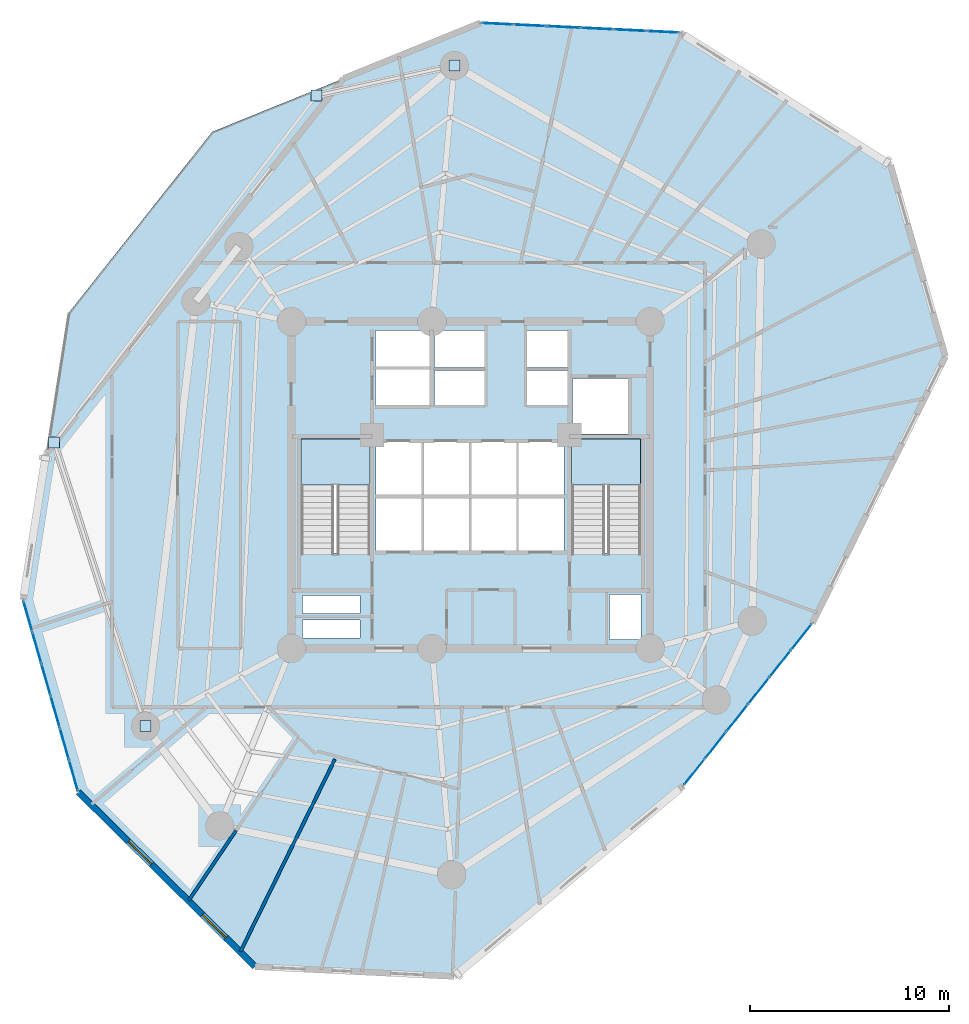
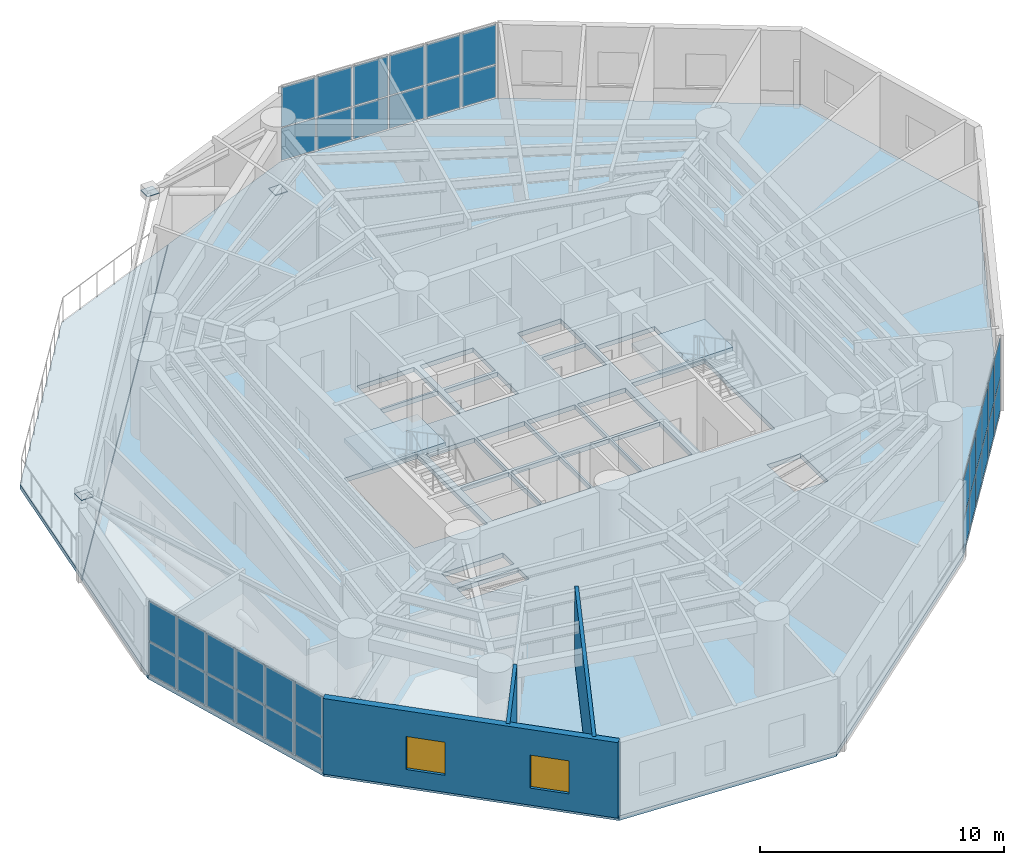
# One storey, part 6 of 14: 40 plates, 4 slabs, 3 walls, 2 windows, 2 openings, 5 elements without a shape of their own.
"""IFC4 building model written with IfcOpenShell, lengths in metres."""

import ifcopenshell
import ifcopenshell.guid

model = None  # the IFC model being written
_history = None  # IfcOwnerHistory: only IFC2X3 demands one
_inside = {}  # id of a spatial element -> (the spatial element, [elements in it])
_under = {}  # id of a project, library or spatial element -> (it, [spatial elements below it])
_declared = {}  # id of a project -> (the project, [libraries it declares])
_typed = {}  # id of a type object -> (the type object, [elements of that type])
_made_of = {}  # id of a material, layer set ... -> (it, [elements and type objects made of it])


def new_model(schema):
    """Start an empty IFC model of exactly this schema.

    Asked for "IFC4X3", IfcOpenShell would pick the latest addendum, in which some entities
    have other attributes; the version numbers below select the first issue.
    IFC2X3 requires an IfcOwnerHistory on every rooted entity: one is made here for all.
    """
    global model, _history
    if schema == "IFC4X3":
        model = ifcopenshell.file(schema_version=(4, 3, 0, 0))
    else:
        model = ifcopenshell.file(schema=schema)
    _inside.clear()
    _under.clear()
    _declared.clear()
    _typed.clear()
    _made_of.clear()
    _history = None
    if model.schema == "IFC2X3":
        org = make("IfcOrganization", Name="unknown")
        user = make(
            "IfcPersonAndOrganization",
            ThePerson=make("IfcPerson", FamilyName="unknown"),
            TheOrganization=org,
        )
        app = make(
            "IfcApplication",
            ApplicationDeveloper=org,
            Version="unknown",
            ApplicationFullName="unknown",
            ApplicationIdentifier="unknown",
        )
        _history = make(
            "IfcOwnerHistory",
            OwningUser=user,
            OwningApplication=app,
            ChangeAction="ADDED",
            CreationDate=0,
        )
    return model


def make(cls, **values):
    """One entity of the class cls with the attributes given. An attribute that is None is left unset."""
    return model.create_entity(
        cls, **{name: value for name, value in values.items() if value is not None}
    )


def rooted(cls, **values):
    """An entity with a GlobalId (a new one), such as an element, a storey or a relation."""
    return make(cls, GlobalId=ifcopenshell.guid.new(), OwnerHistory=_history, **values)


def si_unit(unit_type, name, prefix=None):
    """IfcSIUnit, for example si_unit("LENGTHUNIT", "METRE", prefix="MILLI")."""
    return make("IfcSIUnit", UnitType=unit_type, Prefix=prefix, Name=name)


def assignment(units):
    """IfcUnitAssignment: the units of a project."""
    return None if units is None else make("IfcUnitAssignment", Units=units)


def point(xyz):
    """IfcCartesianPoint."""
    return None if xyz is None else make("IfcCartesianPoint", Coordinates=xyz)


def direction(xyz):
    """IfcDirection."""
    return None if xyz is None else make("IfcDirection", DirectionRatios=xyz)


def frame(location, z_axis=None, x_axis=None):
    """IfcAxis2Placement3D, a coordinate frame: its origin and axes. An axis left out is left unset."""
    return make(
        "IfcAxis2Placement3D",
        Location=point(location),
        Axis=direction(z_axis),
        RefDirection=direction(x_axis),
    )


def frame_2d(location, x_axis=None):
    """IfcAxis2Placement2D, a coordinate frame in the plane: its origin and x axis."""
    return make(
        "IfcAxis2Placement2D", Location=point(location), RefDirection=direction(x_axis)
    )


def origin():
    """The frame at (0, 0, 0) with its axes left unset."""
    return frame((0.0, 0.0, 0.0))


def origin_with_axes():
    """The frame at (0, 0, 0) with the z axis (0, 0, 1) and the x axis (1, 0, 0) written out."""
    return frame((0.0, 0.0, 0.0), z_axis=(0.0, 0.0, 1.0), x_axis=(1.0, 0.0, 0.0))


def origin_2d():
    """The frame at (0, 0) in the plane with its x axis left unset."""
    return frame_2d((0.0, 0.0))


def place(relative_to, where):
    """IfcLocalPlacement: puts the frame where relative to a parent placement (None: the world)."""
    return make(
        "IfcLocalPlacement", PlacementRelTo=relative_to, RelativePlacement=where
    )


def context(
    kind, dimensions, precision=None, world=None, true_north=None, identifier=None
):
    """IfcGeometricRepresentationContext, for example the 3D "Model" context."""
    return make(
        "IfcGeometricRepresentationContext",
        ContextIdentifier=identifier,
        ContextType=kind,
        CoordinateSpaceDimension=dimensions,
        Precision=precision,
        WorldCoordinateSystem=world,
        TrueNorth=true_north,
    )


def subcontext(parent, identifier, kind, view, scale=None):
    """IfcGeometricRepresentationSubContext, for example "Body" below "Model"."""
    return make(
        "IfcGeometricRepresentationSubContext",
        ContextIdentifier=identifier,
        ContextType=kind,
        ParentContext=parent,
        TargetScale=scale,
        TargetView=view,
    )


def project(units=None, contexts=None):
    """IfcProject with its units and contexts."""
    return rooted(
        "IfcProject",
        Name="project",
        RepresentationContexts=contexts,
        UnitsInContext=assignment(units),
    )


def spatial(cls, under=None, at=None, **own):
    """A site, building, storey or space (cls), placed at a placement, below another one or the project."""
    s = rooted(cls, ObjectPlacement=at, **own)
    if under is not None:
        _under.setdefault(under.id(), (under, []))[1].append(s)
    return s


def polyline(points):
    """IfcPolyline through the points."""
    return make("IfcPolyline", Points=[point(p) for p in points])


def profile(cls, at=None, kind="AREA", **sizes):
    """A parametric profile (cls). Its sizes go by their IFC names, for example OverallWidth=200.0."""
    return make(cls, ProfileType=kind, Position=at, **sizes)


def rectangle(**sizes):
    """IfcRectangleProfileDef."""
    return profile("IfcRectangleProfileDef", **sizes)


def outline(outer, holes=None, kind="AREA"):
    """IfcArbitraryClosedProfileDef: a profile drawn as a closed curve; with holes, ...WithVoids."""
    if holes is None:
        return make("IfcArbitraryClosedProfileDef", ProfileType=kind, OuterCurve=outer)
    return make(
        "IfcArbitraryProfileDefWithVoids",
        ProfileType=kind,
        OuterCurve=outer,
        InnerCurves=holes,
    )


def extrude(swept, where, along, depth):
    """IfcExtrudedAreaSolid: the profile swept, set in the frame where, extruded along a direction by depth."""
    return make(
        "IfcExtrudedAreaSolid",
        SweptArea=swept,
        Position=where,
        ExtrudedDirection=direction(along),
        Depth=depth,
    )


def shape(context_of_items, identifier, shape_type, items):
    """IfcShapeRepresentation: the items that make up one representation, for example the "Body"."""
    return make(
        "IfcShapeRepresentation",
        ContextOfItems=context_of_items,
        RepresentationIdentifier=identifier,
        RepresentationType=shape_type,
        Items=items,
    )


def source(mapping_origin, context_of_items, identifier, shape_type, items):
    """IfcRepresentationMap: a shape defined once, which mapped items show again and again."""
    return make(
        "IfcRepresentationMap",
        MappingOrigin=mapping_origin,
        MappedRepresentation=shape(context_of_items, identifier, shape_type, items),
    )


def transform(
    local_origin,
    x_axis=None,
    y_axis=None,
    z_axis=None,
    scale=None,
    scale2=None,
    scale3=None,
    uniform=True,
):
    """IfcCartesianTransformationOperator3D, or its non-uniform kind. x_axis, y_axis, z_axis: its Axis1, 2, 3."""
    if uniform:
        return make(
            "IfcCartesianTransformationOperator3D",
            Axis1=direction(x_axis),
            Axis2=direction(y_axis),
            LocalOrigin=point(local_origin),
            Scale=scale,
            Axis3=direction(z_axis),
        )
    return make(
        "IfcCartesianTransformationOperator3DnonUniform",
        Axis1=direction(x_axis),
        Axis2=direction(y_axis),
        LocalOrigin=point(local_origin),
        Scale=scale,
        Axis3=direction(z_axis),
        Scale2=scale2,
        Scale3=scale3,
    )


def mapped(mapping_source, mapping_target):
    """IfcMappedItem: shows the shape of a source again, moved by a transform."""
    return make(
        "IfcMappedItem", MappingSource=mapping_source, MappingTarget=mapping_target
    )


def material(Name=None, Category=None):
    """IfcMaterial."""
    return make("IfcMaterial", Name=Name, Category=Category)


def layer(
    of_material, thickness, ventilated=None, Name=None, Category=None, Priority=None
):
    """IfcMaterialLayer: one layer of a wall or slab, of a material (None: an air gap)."""
    return make(
        "IfcMaterialLayer",
        Material=of_material,
        LayerThickness=thickness,
        IsVentilated=ventilated,
        Name=Name,
        Category=Category,
        Priority=Priority,
    )


def layer_set(layers, Name=None):
    """IfcMaterialLayerSet."""
    return make("IfcMaterialLayerSet", MaterialLayers=layers, LayerSetName=Name)


def made_of(thing, what):
    """Note that an element or type object is made of a material, layer set ...; save() writes the relation."""
    if what is not None:
        _made_of.setdefault(what.id(), (what, []))[1].append(thing)
    return thing


def type_object(cls, material=None, **own):
    """A type object (cls), such as IfcWallType, which elements share."""
    return made_of(rooted(cls, **own), material)


def element(
    cls,
    number,
    at=None,
    inside=None,
    cuts=None,
    type_object=None,
    material=None,
    context=None,
    identifier="Body",
    shape_type=None,
    held_by="IfcProductDefinitionShape",
    body=None,
    shapes=None,
    **own,
):
    """One element of the class cls, such as IfcWall. Its Tag is "e" and its number.

    at: its placement. inside: the storey or other place that contains it. cuts: it is an
    opening in that element (IfcRelVoidsElement). A single representation is given by context,
    identifier, shape_type and body (its items); several are given by shapes. held_by: the class
    of the entity that holds the representations. save() writes the other relations.
    """
    e = rooted(cls, Tag="e%d" % number, ObjectPlacement=at, **own)
    if body is not None:
        shapes = [shape(context, identifier, shape_type, body)]
    if shapes is not None:
        e.Representation = make(held_by, Representations=shapes)
    if inside is not None:
        _inside.setdefault(inside.id(), (inside, []))[1].append(e)
    if cuts is not None:
        rooted(
            "IfcRelVoidsElement", RelatingBuildingElement=cuts, RelatedOpeningElement=e
        )
    if type_object is not None:
        _typed.setdefault(type_object.id(), (type_object, []))[1].append(e)
    return made_of(e, material)


def fill(opening, filler):
    """IfcRelFillsElement: the door or window that sits in an opening."""
    return rooted(
        "IfcRelFillsElement",
        RelatingOpeningElement=opening,
        RelatedBuildingElement=filler,
    )


def aggregate(whole, parts):
    """IfcRelAggregates: a whole, such as a stair, and the parts it consists of."""
    return rooted("IfcRelAggregates", RelatingObject=whole, RelatedObjects=parts)


def save(model, path):
    """Write the relations noted so far, then the file.

    IfcRelAggregates (storeys below a building ...), IfcRelContainedInSpatialStructure (elements
    in a storey), IfcRelDefinesByType, IfcRelAssociatesMaterial and IfcRelDeclares: one each for
    every whole, place, type object, material and project.
    """
    for whole, parts in _under.values():
        aggregate(whole, parts)
    for where, things in _inside.values():
        rooted(
            "IfcRelContainedInSpatialStructure",
            RelatedElements=things,
            RelatingStructure=where,
        )
    for kind, things in _typed.values():
        rooted("IfcRelDefinesByType", RelatedObjects=things, RelatingType=kind)
    for what, things in _made_of.values():
        rooted("IfcRelAssociatesMaterial", RelatedObjects=things, RelatingMaterial=what)
    for by, libraries in _declared.values():
        rooted("IfcRelDeclares", RelatingContext=by, RelatedDefinitions=libraries)
    model.write(path)


model = new_model("IFC4")

# Units and contexts
model_context = context("Model", 3, precision=1e-05, world=origin(), true_north=direction((0.0, 1.0)))
body_context = subcontext(model_context, "Body", "Model", "MODEL_VIEW")
ifc_project = project(units=[si_unit("LENGTHUNIT", "METRE"), si_unit("AREAUNIT", "SQUARE_METRE"), si_unit("VOLUMEUNIT", "CUBIC_METRE"), si_unit("PLANEANGLEUNIT", "RADIAN"), si_unit("MASSUNIT", "GRAM", prefix="KILO")], contexts=[model_context])

# Site, building, storey
site_placement = place(None, origin())
site = spatial("IfcSite", under=ifc_project, at=site_placement, CompositionType="ELEMENT")
building_placement = place(site_placement, origin())
building = spatial("IfcBuilding", under=site, at=building_placement, Name="Karkom Vertical University and Central Library", CompositionType="ELEMENT")
storey_placement = place(building_placement, frame((0.0, 0.0, 92.199951171875)))
storey = spatial("IfcBuildingStorey", under=building, at=storey_placement, Name="L24", CompositionType="ELEMENT", Elevation=92.199951171875)

# Stair, slab
ifc_material_1 = material(Name="Concrete C45/55", Category="concrete")
stair_type = type_object("IfcStairType", Name="INT-STR-ST-MAIN", PredefinedType="HALF_TURN_STAIR", material=ifc_material_1)
stair_1_placement = place(storey_placement, origin())
stair_1 = element("IfcStair", 1, at=stair_1_placement, inside=storey, type_object=stair_type, Name="Level 24 Tower Protected Exit Stair ST-1", PredefinedType="HALF_TURN_STAIR")
ifc_layer_1 = layer(ifc_material_1, 0.199951171875)
ifc_layer_set_1 = layer_set([ifc_layer_1], Name="Concrete C45/55")
slab_type_1 = type_object("IfcSlabType", Name="INT-SLB-LANDING", PredefinedType="LANDING", material=ifc_layer_set_1)
slab_1_placement = place(storey_placement, frame((0.0, 0.0, 1.800048828125)))
slab_1 = element("IfcSlab", 2, at=slab_1_placement, type_object=slab_type_1, Name="ST-1 landing 1", PredefinedType="LANDING", context=body_context, shape_type="SweptSolid", body=[
    extrude(outline(polyline([(23.43994140625, 26.5), (23.43994140625, 28.820068359375), (19.97998046875, 28.820068359375), (19.97998046875, 26.5), (23.43994140625, 26.5)])), origin(), (0.0, 0.0, 1.0), 0.199951171875),
])
aggregate(stair_1, [slab_1])

stair_2_placement = place(storey_placement, origin())
stair_2 = element("IfcStair", 3, at=stair_2_placement, inside=storey, type_object=stair_type, Name="Level 24 Tower Protected Exit Stair ST-2", PredefinedType="HALF_TURN_STAIR")
slab_2_placement = place(storey_placement, frame((0.0, 0.0, 1.800048828125)))
slab_2 = element("IfcSlab", 4, at=slab_2_placement, type_object=slab_type_1, Name="ST-2 landing 1", PredefinedType="LANDING", context=body_context, shape_type="SweptSolid", body=[
    extrude(outline(polyline([(37.02001953125, 26.5), (37.02001953125, 28.820068359375), (33.56005859375, 28.820068359375), (33.56005859375, 26.5), (37.02001953125, 26.5)])), origin(), (0.0, 0.0, 1.0), 0.199951171875),
])
aggregate(stair_2, [slab_2])

# Slabs
ifc_layer_2 = layer(ifc_material_1, 0.22509765625)
ifc_layer_set_2 = layer_set([ifc_layer_2], Name="Concrete C45/55")
slab_type_2 = type_object("IfcSlabType", Name="STR-SLB-FLR-225", PredefinedType="FLOOR", material=ifc_layer_set_2)
slab_3_placement = place(storey_placement, frame((0.0, 0.0, -0.224853515625)))
element("IfcSlab", 5, at=slab_3_placement, inside=storey, type_object=slab_type_2, Name="Level 24 Tower Structural Floor Slab", PredefinedType="FLOOR", context=body_context, shape_type="SweptSolid", body=[
    extrude(outline(polyline([(7.186279296875, 28.06298828125), (6.039306640625, 20.741455078125), (8.7998046875, 11.105712890625), (17.670654296875, 2.33642578125), (27.660888671875, 1.85009765625), (39.165771484375, 11.411376953125), (45.62548828125, 19.5615234375), (52.30712890625, 32.94580078125), (49.55224609375, 42.560791015625), (38.989013671875, 49.19482421875), (28.9775390625, 49.682373046875), (22.111328125, 46.893798828125), (7.186279296875, 28.06298828125)]), holes=[polyline([(19.97998046875, 23.0849609375), (23.43994140625, 23.0849609375), (23.43994140625, 28.820068359375), (19.97998046875, 28.820068359375), (19.97998046875, 23.0849609375)]), polyline([(33.56005859375, 23.0849609375), (37.02001953125, 23.0849609375), (37.02001953125, 28.820068359375), (33.56005859375, 28.820068359375), (33.56005859375, 23.0849609375)]), polyline([(23.75, 23.199951171875), (26.030029296875, 23.199951171875), (26.030029296875, 25.85009765625), (23.75, 25.85009765625), (23.75, 23.199951171875)]), polyline([(26.1298828125, 23.199951171875), (28.409912109375, 23.199951171875), (28.409912109375, 25.85009765625), (26.1298828125, 25.85009765625), (26.1298828125, 23.199951171875)]), polyline([(28.510009765625, 23.199951171875), (30.7900390625, 23.199951171875), (30.7900390625, 25.85009765625), (28.510009765625, 25.85009765625), (28.510009765625, 23.199951171875)]), polyline([(30.889892578125, 23.199951171875), (33.169921875, 23.199951171875), (33.169921875, 25.85009765625), (30.889892578125, 25.85009765625), (30.889892578125, 23.199951171875)]), polyline([(23.75, 26.0), (26.030029296875, 26.0), (26.030029296875, 28.64990234375), (23.75, 28.64990234375), (23.75, 26.0)]), polyline([(26.1298828125, 26.0), (28.409912109375, 26.0), (28.409912109375, 28.64990234375), (26.1298828125, 28.64990234375), (26.1298828125, 26.0)]), polyline([(28.510009765625, 26.0), (30.7900390625, 26.0), (30.7900390625, 28.64990234375), (28.510009765625, 28.64990234375), (28.510009765625, 26.0)]), polyline([(30.889892578125, 26.0), (33.169921875, 26.0), (33.169921875, 28.64990234375), (30.889892578125, 28.64990234375), (30.889892578125, 26.0)]), polyline([(26.679931640625, 30.5), (29.199951171875, 30.5), (29.199951171875, 32.25), (26.679931640625, 32.25), (26.679931640625, 30.5)]), polyline([(26.679931640625, 32.39990234375), (29.199951171875, 32.39990234375), (29.199951171875, 34.25), (26.679931640625, 34.25), (26.679931640625, 32.39990234375)]), polyline([(31.300048828125, 30.5), (33.35009765625, 30.5), (33.35009765625, 32.25), (31.300048828125, 32.25), (31.300048828125, 30.5)]), polyline([(31.300048828125, 32.39990234375), (33.35009765625, 32.39990234375), (33.35009765625, 34.25), (31.300048828125, 34.25), (31.300048828125, 32.39990234375)]), polyline([(23.719970703125, 30.47998046875), (26.429931640625, 30.47998046875), (26.429931640625, 32.320068359375), (23.719970703125, 32.320068359375), (23.719970703125, 30.47998046875)]), polyline([(23.719970703125, 32.419921875), (26.429931640625, 32.419921875), (26.429931640625, 34.260009765625), (23.719970703125, 34.260009765625), (23.719970703125, 32.419921875)]), polyline([(33.60009765625, 29.050048828125), (36.39990234375, 29.050048828125), (36.39990234375, 31.85009765625), (33.60009765625, 31.85009765625), (33.60009765625, 29.050048828125)]), polyline([(20.050048828125, 18.820068359375), (22.949951171875, 18.820068359375), (22.949951171875, 19.719970703125), (20.050048828125, 19.719970703125), (20.050048828125, 18.820068359375)]), polyline([(20.050048828125, 20.06005859375), (22.949951171875, 20.06005859375), (22.949951171875, 20.9599609375), (20.050048828125, 20.9599609375), (20.050048828125, 20.06005859375)]), polyline([(35.4599609375, 18.760009765625), (37.0400390625, 18.760009765625), (37.0400390625, 21.010009765625), (35.4599609375, 21.010009765625), (35.4599609375, 18.760009765625)])]), origin(), (0.0, 0.0, 1.0), 0.224853515625),
])
ifc_layer_3 = layer(ifc_material_1, 0.199951171875)
ifc_layer_set_3 = layer_set([ifc_layer_3], Name="Concrete C45/55")
slab_type_3 = type_object("IfcSlabType", Name="STR-SLB-PLN-260", PredefinedType="USERDEFINED", material=ifc_layer_set_3)
slab_4_placement = place(storey_placement, frame((0.0, 0.0, -0.224853515625)))
element("IfcSlab", 6, at=slab_4_placement, inside=storey, type_object=slab_type_3, Name="Level 24 Spiral Sky Garden Planter Terrace", ObjectType="PLANTER", PredefinedType="USERDEFINED", context=body_context, shape_type="SweptSolid", body=[
    extrude(outline(polyline([(8.286865234375, 35.089111328125), (15.522216796875, 44.2177734375), (22.07373046875, 46.87841796875), (7.1923828125, 28.10302734375), (8.286865234375, 35.089111328125)])), origin(), (0.0, 0.0, 1.0), 0.224853515625),
])

# Plates
ifc_material_2 = material(Name="Steel S355", Category="steel")
ifc_layer_4 = layer(ifc_material_2, 0.028076171875)
ifc_layer_set_4 = layer_set([ifc_layer_4], Name="Steel S355")
plate_type_1 = type_object("IfcPlateType", Name="STR-PLT-GP-2", PredefinedType="USERDEFINED", material=ifc_layer_set_4)
shared_shape_1 = source(origin_with_axes(), body_context, "Body", "SweptSolid", [
    extrude(rectangle(XDim=0.56005859375, YDim=0.56005859375, at=origin_2d()), origin(), (0.0, 0.0, 1.0), 0.028076171875),
])
for number, where, z_axis, x_axis, name in (
    (7, (27.674072265625, 47.551025390625, 0.3359375), (0.0, 0.0, 1.0), (1.0, 0.0, 0.0), "Level 24 Node Gusset Cap Plate L24-SKG-KNEE-1 A"),
    (8, (20.75830078125, 46.044677734375, 3.59619140625), (0.0, 0.0, 1.0), (1.0, 0.0, 0.0), "Level 24 Node Gusset Cap Plate L24-SKG-KNEE-1 B"),
    (9, (12.172119140625, 14.403076171875, 0.3359375), (0.0, 0.0, 1.0), (1.0, 0.0, 0.0), "Level 24 Node Gusset Cap Plate L24-SKG-KNEE-2 A"),
    (10, (7.58740234375, 28.64208984375, 3.59619140625), (0.0, 0.0, 1.0), (1.0, 0.0, 0.0), "Level 24 Node Gusset Cap Plate L24-SKG-KNEE-2 B"),
):
    element("IfcPlate", number, at=place(storey_placement, frame(where, z_axis=z_axis, x_axis=x_axis)), inside=storey, type_object=plate_type_1, Name=name, ObjectType="GUSSET PLATE", PredefinedType="USERDEFINED", context=body_context, shape_type="MappedRepresentation", body=[
        mapped(shared_shape_1, transform((0.0, 0.0, 0.0), scale=1.0)),
    ])

# Curtain wall, plates
ifc_material_3 = material(Name="Aluminium curtain-wall framing and low-E IGU", Category="aluminium")
ifc_layer_5 = layer(ifc_material_3, 0.199951171875)
ifc_layer_set_5 = layer_set([ifc_layer_5], Name="Aluminium curtain-wall framing and low-E IGU")
curtain_wall_type = type_object("IfcCurtainWallType", Name="ENV-CW-5", PredefinedType="USERDEFINED", material=ifc_layer_set_5)
curtain_wall_1_placement = place(storey_placement, origin())
curtain_wall_1 = element("IfcCurtainWall", 11, at=curtain_wall_1_placement, inside=storey, type_object=curtain_wall_type, Name="Level 24 CW-5 Curtain Wall L24-CW5-02", ObjectType="UNITISED GLAZING", PredefinedType="USERDEFINED")
ifc_material_4 = material(Name="Solar-control low-E double glazing 36mm", Category="glass")
ifc_layer_6 = layer(ifc_material_4, 0.035888671875)
ifc_layer_set_6 = layer_set([ifc_layer_6], Name="Solar-control low-E double glazing 36mm")
plate_type_2 = type_object("IfcPlateType", Name="ENV-PLT-GLZ-36", PredefinedType="CURTAIN_PANEL", material=ifc_layer_set_6)
shared_shape_2 = source(origin_with_axes(), body_context, "Body", "SweptSolid", [
    extrude(rectangle(XDim=1.565673828125, YDim=0.035888671875, at=origin_2d()), origin(), (0.0, 0.0, 1.0), 1.59375),
])
plate_1_placement = place(storey_placement, frame((6.274169921875, 19.921630859375, 0.070068359375), z_axis=(0.0, 0.0, 1.0), x_axis=(0.275416789644, -0.961324914887, 0.0)))
plate_1 = element("IfcPlate", 12, at=plate_1_placement, type_object=plate_type_2, Name="CW-5 panel 1.1", PredefinedType="CURTAIN_PANEL", context=body_context, shape_type="MappedRepresentation", body=[
    mapped(shared_shape_2, transform((0.0, 0.0, 0.0), scale=1.0)),
])
plate_2_placement = place(storey_placement, frame((8.56494140625, 11.925537109375, 0.070068359375), z_axis=(0.0, 0.0, 1.0), x_axis=(0.275416789644, -0.961324914887, 0.0)))
plate_2 = element("IfcPlate", 13, at=plate_2_placement, type_object=plate_type_2, Name="CW-5 panel 6.1", PredefinedType="CURTAIN_PANEL", context=body_context, shape_type="MappedRepresentation", body=[
    mapped(shared_shape_2, transform((0.0, 0.0, 0.0), scale=1.0)),
])

curtain_wall_2_placement = place(storey_placement, origin())
curtain_wall_2 = element("IfcCurtainWall", 14, at=curtain_wall_2_placement, inside=storey, type_object=curtain_wall_type, Name="Level 24 CW-5 Curtain Wall L24-CW5-10", ObjectType="UNITISED GLAZING", PredefinedType="USERDEFINED")
plate_3_placement = place(storey_placement, frame((38.13720703125, 49.236328125, 0.070068359375), z_axis=(0.0, 0.0, 1.0), x_axis=(-0.998816551236, 0.048636375046, 0.0)))
plate_3 = element("IfcPlate", 15, at=plate_3_placement, type_object=plate_type_2, Name="CW-5 panel 1.1", PredefinedType="CURTAIN_PANEL", context=body_context, shape_type="MappedRepresentation", body=[
    mapped(shared_shape_2, transform((0.0, 0.0, 0.0), scale=1.0)),
])
plate_4_placement = place(storey_placement, frame((29.829345703125, 49.640869140625, 0.070068359375), z_axis=(0.0, 0.0, 1.0), x_axis=(-0.998816551236, 0.048636375046, 0.0)))
plate_4 = element("IfcPlate", 16, at=plate_4_placement, type_object=plate_type_2, Name="CW-5 panel 6.1", PredefinedType="CURTAIN_PANEL", context=body_context, shape_type="MappedRepresentation", body=[
    mapped(shared_shape_2, transform((0.0, 0.0, 0.0), scale=1.0)),
])

# Plate
shared_shape_3 = source(origin_with_axes(), body_context, "Body", "SweptSolid", [
    extrude(rectangle(XDim=1.565673828125, YDim=0.035888671875, at=origin_2d()), origin(), (0.0, 0.0, 1.0), 1.97119140625),
])
plate_5_placement = place(storey_placement, frame((6.274169921875, 19.921630859375, 1.73388671875), z_axis=(0.0, 0.0, 1.0), x_axis=(0.275416789644, -0.961324914887, 0.0)))
plate_5 = element("IfcPlate", 17, at=plate_5_placement, type_object=plate_type_2, Name="CW-5 panel 1.2", PredefinedType="CURTAIN_PANEL", context=body_context, shape_type="MappedRepresentation", body=[
    mapped(shared_shape_3, transform((0.0, 0.0, 0.0), scale=1.0)),
])

plate_6_placement = place(storey_placement, frame((8.56494140625, 11.925537109375, 1.73388671875), z_axis=(0.0, 0.0, 1.0), x_axis=(0.275416789644, -0.961324914887, 0.0)))
plate_6 = element("IfcPlate", 18, at=plate_6_placement, type_object=plate_type_2, Name="CW-5 panel 6.2", PredefinedType="CURTAIN_PANEL", context=body_context, shape_type="MappedRepresentation", body=[
    mapped(shared_shape_3, transform((0.0, 0.0, 0.0), scale=1.0)),
])

plate_7_placement = place(storey_placement, frame((38.13720703125, 49.236328125, 1.73388671875), z_axis=(0.0, 0.0, 1.0), x_axis=(-0.998816551236, 0.048636375046, 0.0)))
plate_7 = element("IfcPlate", 19, at=plate_7_placement, type_object=plate_type_2, Name="CW-5 panel 1.2", PredefinedType="CURTAIN_PANEL", context=body_context, shape_type="MappedRepresentation", body=[
    mapped(shared_shape_3, transform((0.0, 0.0, 0.0), scale=1.0)),
])

plate_8_placement = place(storey_placement, frame((29.829345703125, 49.640869140625, 1.73388671875), z_axis=(0.0, 0.0, 1.0), x_axis=(-0.998816551236, 0.048636375046, 0.0)))
plate_8 = element("IfcPlate", 20, at=plate_8_placement, type_object=plate_type_2, Name="CW-5 panel 6.2", PredefinedType="CURTAIN_PANEL", context=body_context, shape_type="MappedRepresentation", body=[
    mapped(shared_shape_3, transform((0.0, 0.0, 0.0), scale=1.0)),
])

shared_shape_4 = source(origin_with_axes(), body_context, "Body", "SweptSolid", [
    extrude(rectangle(XDim=1.6005859375, YDim=0.035888671875, at=origin_2d()), origin(), (0.0, 0.0, 1.0), 1.59375),
])
plate_9_placement = place(storey_placement, frame((6.729248046875, 18.33251953125, 0.070068359375), z_axis=(0.0, 0.0, 1.0), x_axis=(0.275416789644, -0.961324914887, 0.0)))
plate_9 = element("IfcPlate", 21, at=plate_9_placement, type_object=plate_type_2, Name="CW-5 panel 2.1", PredefinedType="CURTAIN_PANEL", context=body_context, shape_type="MappedRepresentation", body=[
    mapped(shared_shape_4, transform((0.0, 0.0, 0.0), scale=1.0)),
])

plate_10_placement = place(storey_placement, frame((7.189453125, 16.7265625, 0.070068359375), z_axis=(0.0, 0.0, 1.0), x_axis=(0.275416789644, -0.961324914887, 0.0)))
plate_10 = element("IfcPlate", 22, at=plate_10_placement, type_object=plate_type_2, Name="CW-5 panel 3.1", PredefinedType="CURTAIN_PANEL", context=body_context, shape_type="MappedRepresentation", body=[
    mapped(shared_shape_4, transform((0.0, 0.0, 0.0), scale=1.0)),
])

plate_11_placement = place(storey_placement, frame((7.649658203125, 15.12060546875, 0.070068359375), z_axis=(0.0, 0.0, 1.0), x_axis=(0.275416789644, -0.961324914887, 0.0)))
plate_11 = element("IfcPlate", 23, at=plate_11_placement, type_object=plate_type_2, Name="CW-5 panel 4.1", PredefinedType="CURTAIN_PANEL", context=body_context, shape_type="MappedRepresentation", body=[
    mapped(shared_shape_4, transform((0.0, 0.0, 0.0), scale=1.0)),
])

plate_12_placement = place(storey_placement, frame((8.109619140625, 13.5146484375, 0.070068359375), z_axis=(0.0, 0.0, 1.0), x_axis=(0.275416789644, -0.961324914887, 0.0)))
plate_12 = element("IfcPlate", 24, at=plate_12_placement, type_object=plate_type_2, Name="CW-5 panel 5.1", PredefinedType="CURTAIN_PANEL", context=body_context, shape_type="MappedRepresentation", body=[
    mapped(shared_shape_4, transform((0.0, 0.0, 0.0), scale=1.0)),
])

plate_13_placement = place(storey_placement, frame((36.486083984375, 49.31689453125, 0.070068359375), z_axis=(0.0, 0.0, 1.0), x_axis=(-0.998816551236, 0.048636375046, 0.0)))
plate_13 = element("IfcPlate", 25, at=plate_13_placement, type_object=plate_type_2, Name="CW-5 panel 2.1", PredefinedType="CURTAIN_PANEL", context=body_context, shape_type="MappedRepresentation", body=[
    mapped(shared_shape_4, transform((0.0, 0.0, 0.0), scale=1.0)),
])

plate_14_placement = place(storey_placement, frame((34.817626953125, 49.39794921875, 0.070068359375), z_axis=(0.0, 0.0, 1.0), x_axis=(-0.998816551236, 0.048636375046, 0.0)))
plate_14 = element("IfcPlate", 26, at=plate_14_placement, type_object=plate_type_2, Name="CW-5 panel 3.1", PredefinedType="CURTAIN_PANEL", context=body_context, shape_type="MappedRepresentation", body=[
    mapped(shared_shape_4, transform((0.0, 0.0, 0.0), scale=1.0)),
])

plate_15_placement = place(storey_placement, frame((33.14892578125, 49.479248046875, 0.070068359375), z_axis=(0.0, 0.0, 1.0), x_axis=(-0.998816551236, 0.048636375046, 0.0)))
plate_15 = element("IfcPlate", 27, at=plate_15_placement, type_object=plate_type_2, Name="CW-5 panel 4.1", PredefinedType="CURTAIN_PANEL", context=body_context, shape_type="MappedRepresentation", body=[
    mapped(shared_shape_4, transform((0.0, 0.0, 0.0), scale=1.0)),
])

plate_16_placement = place(storey_placement, frame((31.48046875, 49.560546875, 0.070068359375), z_axis=(0.0, 0.0, 1.0), x_axis=(-0.998816551236, 0.048636375046, 0.0)))
plate_16 = element("IfcPlate", 28, at=plate_16_placement, type_object=plate_type_2, Name="CW-5 panel 5.1", PredefinedType="CURTAIN_PANEL", context=body_context, shape_type="MappedRepresentation", body=[
    mapped(shared_shape_4, transform((0.0, 0.0, 0.0), scale=1.0)),
])

shared_shape_5 = source(origin_with_axes(), body_context, "Body", "SweptSolid", [
    extrude(rectangle(XDim=1.6005859375, YDim=0.035888671875, at=origin_2d()), origin(), (0.0, 0.0, 1.0), 1.97119140625),
])
plate_17_placement = place(storey_placement, frame((6.729248046875, 18.33251953125, 1.73388671875), z_axis=(0.0, 0.0, 1.0), x_axis=(0.275416789644, -0.961324914887, 0.0)))
plate_17 = element("IfcPlate", 29, at=plate_17_placement, type_object=plate_type_2, Name="CW-5 panel 2.2", PredefinedType="CURTAIN_PANEL", context=body_context, shape_type="MappedRepresentation", body=[
    mapped(shared_shape_5, transform((0.0, 0.0, 0.0), scale=1.0)),
])

plate_18_placement = place(storey_placement, frame((7.189453125, 16.7265625, 1.73388671875), z_axis=(0.0, 0.0, 1.0), x_axis=(0.275416789644, -0.961324914887, 0.0)))
plate_18 = element("IfcPlate", 30, at=plate_18_placement, type_object=plate_type_2, Name="CW-5 panel 3.2", PredefinedType="CURTAIN_PANEL", context=body_context, shape_type="MappedRepresentation", body=[
    mapped(shared_shape_5, transform((0.0, 0.0, 0.0), scale=1.0)),
])

plate_19_placement = place(storey_placement, frame((7.649658203125, 15.12060546875, 1.73388671875), z_axis=(0.0, 0.0, 1.0), x_axis=(0.275416789644, -0.961324914887, 0.0)))
plate_19 = element("IfcPlate", 31, at=plate_19_placement, type_object=plate_type_2, Name="CW-5 panel 4.2", PredefinedType="CURTAIN_PANEL", context=body_context, shape_type="MappedRepresentation", body=[
    mapped(shared_shape_5, transform((0.0, 0.0, 0.0), scale=1.0)),
])

plate_20_placement = place(storey_placement, frame((8.109619140625, 13.5146484375, 1.73388671875), z_axis=(0.0, 0.0, 1.0), x_axis=(0.275416789644, -0.961324914887, 0.0)))
plate_20 = element("IfcPlate", 32, at=plate_20_placement, type_object=plate_type_2, Name="CW-5 panel 5.2", PredefinedType="CURTAIN_PANEL", context=body_context, shape_type="MappedRepresentation", body=[
    mapped(shared_shape_5, transform((0.0, 0.0, 0.0), scale=1.0)),
])

aggregate(curtain_wall_1, [plate_1, plate_5, plate_9, plate_17, plate_10, plate_18, plate_11, plate_19, plate_12, plate_20, plate_2, plate_6])

plate_21_placement = place(storey_placement, frame((36.486083984375, 49.31689453125, 1.73388671875), z_axis=(0.0, 0.0, 1.0), x_axis=(-0.998816551236, 0.048636375046, 0.0)))
plate_21 = element("IfcPlate", 33, at=plate_21_placement, type_object=plate_type_2, Name="CW-5 panel 2.2", PredefinedType="CURTAIN_PANEL", context=body_context, shape_type="MappedRepresentation", body=[
    mapped(shared_shape_5, transform((0.0, 0.0, 0.0), scale=1.0)),
])

plate_22_placement = place(storey_placement, frame((34.817626953125, 49.39794921875, 1.73388671875), z_axis=(0.0, 0.0, 1.0), x_axis=(-0.998816551236, 0.048636375046, 0.0)))
plate_22 = element("IfcPlate", 34, at=plate_22_placement, type_object=plate_type_2, Name="CW-5 panel 3.2", PredefinedType="CURTAIN_PANEL", context=body_context, shape_type="MappedRepresentation", body=[
    mapped(shared_shape_5, transform((0.0, 0.0, 0.0), scale=1.0)),
])

plate_23_placement = place(storey_placement, frame((33.14892578125, 49.479248046875, 1.73388671875), z_axis=(0.0, 0.0, 1.0), x_axis=(-0.998816551236, 0.048636375046, 0.0)))
plate_23 = element("IfcPlate", 35, at=plate_23_placement, type_object=plate_type_2, Name="CW-5 panel 4.2", PredefinedType="CURTAIN_PANEL", context=body_context, shape_type="MappedRepresentation", body=[
    mapped(shared_shape_5, transform((0.0, 0.0, 0.0), scale=1.0)),
])

plate_24_placement = place(storey_placement, frame((31.48046875, 49.560546875, 1.73388671875), z_axis=(0.0, 0.0, 1.0), x_axis=(-0.998816551236, 0.048636375046, 0.0)))
plate_24 = element("IfcPlate", 36, at=plate_24_placement, type_object=plate_type_2, Name="CW-5 panel 5.2", PredefinedType="CURTAIN_PANEL", context=body_context, shape_type="MappedRepresentation", body=[
    mapped(shared_shape_5, transform((0.0, 0.0, 0.0), scale=1.0)),
])

aggregate(curtain_wall_2, [plate_3, plate_7, plate_13, plate_21, plate_14, plate_22, plate_15, plate_23, plate_16, plate_24, plate_4, plate_8])

# Curtain wall, plates
curtain_wall_3_placement = place(storey_placement, origin())
curtain_wall_3 = element("IfcCurtainWall", 37, at=curtain_wall_3_placement, inside=storey, type_object=curtain_wall_type, Name="Level 24 CW-5 Curtain Wall L24-CW5-06", ObjectType="UNITISED GLAZING", PredefinedType="USERDEFINED")
shared_shape_6 = source(origin_with_axes(), body_context, "Body", "SweptSolid", [
    extrude(rectangle(XDim=1.62841796875, YDim=0.035888671875, at=origin_2d()), origin(), (0.0, 0.0, 1.0), 1.59375),
])
plate_25_placement = place(storey_placement, frame((39.715087890625, 12.104248046875, 0.070068359375), z_axis=(0.0, 0.0, 1.0), x_axis=(0.62114493497, 0.783695712481, 0.0)))
plate_25 = element("IfcPlate", 38, at=plate_25_placement, type_object=plate_type_2, Name="CW-5 panel 1.1", PredefinedType="CURTAIN_PANEL", context=body_context, shape_type="MappedRepresentation", body=[
    mapped(shared_shape_6, transform((0.0, 0.0, 0.0), scale=1.0)),
])
plate_26_placement = place(storey_placement, frame((45.076416015625, 18.86865234375, 0.070068359375), z_axis=(0.0, 0.0, 1.0), x_axis=(0.62114493497, 0.783695712481, 0.0)))
plate_26 = element("IfcPlate", 39, at=plate_26_placement, type_object=plate_type_2, Name="CW-5 panel 6.1", PredefinedType="CURTAIN_PANEL", context=body_context, shape_type="MappedRepresentation", body=[
    mapped(shared_shape_6, transform((0.0, 0.0, 0.0), scale=1.0)),
])
shared_shape_7 = source(origin_with_axes(), body_context, "Body", "SweptSolid", [
    extrude(rectangle(XDim=1.62841796875, YDim=0.035888671875, at=origin_2d()), origin(), (0.0, 0.0, 1.0), 1.97119140625),
])
plate_27_placement = place(storey_placement, frame((39.715087890625, 12.104248046875, 1.73388671875), z_axis=(0.0, 0.0, 1.0), x_axis=(0.62114493497, 0.783695712481, 0.0)))
plate_27 = element("IfcPlate", 40, at=plate_27_placement, type_object=plate_type_2, Name="CW-5 panel 1.2", PredefinedType="CURTAIN_PANEL", context=body_context, shape_type="MappedRepresentation", body=[
    mapped(shared_shape_7, transform((0.0, 0.0, 0.0), scale=1.0)),
])
plate_28_placement = place(storey_placement, frame((45.076416015625, 18.86865234375, 1.73388671875), z_axis=(0.0, 0.0, 1.0), x_axis=(0.62114493497, 0.783695712481, 0.0)))
plate_28 = element("IfcPlate", 41, at=plate_28_placement, type_object=plate_type_2, Name="CW-5 panel 6.2", PredefinedType="CURTAIN_PANEL", context=body_context, shape_type="MappedRepresentation", body=[
    mapped(shared_shape_7, transform((0.0, 0.0, 0.0), scale=1.0)),
])
shared_shape_8 = source(origin_with_axes(), body_context, "Body", "SweptSolid", [
    extrude(rectangle(XDim=1.663330078125, YDim=0.035888671875, at=origin_2d()), origin(), (0.0, 0.0, 1.0), 1.59375),
])
plate_29_placement = place(storey_placement, frame((40.78076171875, 13.448974609375, 0.070068359375), z_axis=(0.0, 0.0, 1.0), x_axis=(0.62114493497, 0.783695712481, 0.0)))
plate_29 = element("IfcPlate", 42, at=plate_29_placement, type_object=plate_type_2, Name="CW-5 panel 2.1", PredefinedType="CURTAIN_PANEL", context=body_context, shape_type="MappedRepresentation", body=[
    mapped(shared_shape_8, transform((0.0, 0.0, 0.0), scale=1.0)),
])
plate_30_placement = place(storey_placement, frame((41.857421875, 14.807373046875, 0.070068359375), z_axis=(0.0, 0.0, 1.0), x_axis=(0.62114493497, 0.783695712481, 0.0)))
plate_30 = element("IfcPlate", 43, at=plate_30_placement, type_object=plate_type_2, Name="CW-5 panel 3.1", PredefinedType="CURTAIN_PANEL", context=body_context, shape_type="MappedRepresentation", body=[
    mapped(shared_shape_8, transform((0.0, 0.0, 0.0), scale=1.0)),
])
plate_31_placement = place(storey_placement, frame((42.93408203125, 16.16552734375, 0.070068359375), z_axis=(0.0, 0.0, 1.0), x_axis=(0.62114493497, 0.783695712481, 0.0)))
plate_31 = element("IfcPlate", 44, at=plate_31_placement, type_object=plate_type_2, Name="CW-5 panel 4.1", PredefinedType="CURTAIN_PANEL", context=body_context, shape_type="MappedRepresentation", body=[
    mapped(shared_shape_8, transform((0.0, 0.0, 0.0), scale=1.0)),
])
plate_32_placement = place(storey_placement, frame((44.0107421875, 17.52392578125, 0.070068359375), z_axis=(0.0, 0.0, 1.0), x_axis=(0.62114493497, 0.783695712481, 0.0)))
plate_32 = element("IfcPlate", 45, at=plate_32_placement, type_object=plate_type_2, Name="CW-5 panel 5.1", PredefinedType="CURTAIN_PANEL", context=body_context, shape_type="MappedRepresentation", body=[
    mapped(shared_shape_8, transform((0.0, 0.0, 0.0), scale=1.0)),
])
shared_shape_9 = source(origin_with_axes(), body_context, "Body", "SweptSolid", [
    extrude(rectangle(XDim=1.663330078125, YDim=0.035888671875, at=origin_2d()), origin(), (0.0, 0.0, 1.0), 1.97119140625),
])
plate_33_placement = place(storey_placement, frame((40.78076171875, 13.448974609375, 1.73388671875), z_axis=(0.0, 0.0, 1.0), x_axis=(0.62114493497, 0.783695712481, 0.0)))
plate_33 = element("IfcPlate", 46, at=plate_33_placement, type_object=plate_type_2, Name="CW-5 panel 2.2", PredefinedType="CURTAIN_PANEL", context=body_context, shape_type="MappedRepresentation", body=[
    mapped(shared_shape_9, transform((0.0, 0.0, 0.0), scale=1.0)),
])
plate_34_placement = place(storey_placement, frame((41.857421875, 14.807373046875, 1.73388671875), z_axis=(0.0, 0.0, 1.0), x_axis=(0.62114493497, 0.783695712481, 0.0)))
plate_34 = element("IfcPlate", 47, at=plate_34_placement, type_object=plate_type_2, Name="CW-5 panel 3.2", PredefinedType="CURTAIN_PANEL", context=body_context, shape_type="MappedRepresentation", body=[
    mapped(shared_shape_9, transform((0.0, 0.0, 0.0), scale=1.0)),
])
plate_35_placement = place(storey_placement, frame((42.93408203125, 16.16552734375, 1.73388671875), z_axis=(0.0, 0.0, 1.0), x_axis=(0.62114493497, 0.783695712481, 0.0)))
plate_35 = element("IfcPlate", 48, at=plate_35_placement, type_object=plate_type_2, Name="CW-5 panel 4.2", PredefinedType="CURTAIN_PANEL", context=body_context, shape_type="MappedRepresentation", body=[
    mapped(shared_shape_9, transform((0.0, 0.0, 0.0), scale=1.0)),
])
plate_36_placement = place(storey_placement, frame((44.0107421875, 17.52392578125, 1.73388671875), z_axis=(0.0, 0.0, 1.0), x_axis=(0.62114493497, 0.783695712481, 0.0)))
plate_36 = element("IfcPlate", 49, at=plate_36_placement, type_object=plate_type_2, Name="CW-5 panel 5.2", PredefinedType="CURTAIN_PANEL", context=body_context, shape_type="MappedRepresentation", body=[
    mapped(shared_shape_9, transform((0.0, 0.0, 0.0), scale=1.0)),
])
aggregate(curtain_wall_3, [plate_25, plate_27, plate_29, plate_33, plate_30, plate_34, plate_31, plate_35, plate_32, plate_36, plate_26, plate_28])

# Wall, openings, windows
ifc_material_5 = material(Name="Brick-faced precast concrete C45/55", Category="masonry")
ifc_layer_7 = layer(ifc_material_5, 0.320068359375)
ifc_layer_set_7 = layer_set([ifc_layer_7], Name="Brick-faced precast concrete C45/55")
wall_type_1 = type_object("IfcWallType", Name="ENV-WL-BRK-320", PredefinedType="SOLIDWALL", material=ifc_layer_set_7)
wall_1_placement = place(storey_placement, frame((8.7998046875, 11.105712890625, 0.0), z_axis=(0.0, 0.0, 1.0), x_axis=(0.711166138023, -0.703023985459, 0.0)))
wall_1 = element("IfcWall", 50, at=wall_1_placement, inside=storey, type_object=wall_type_1, Name="Level 24 Brick-Faced Precast Facade Wall 03", PredefinedType="SOLIDWALL", context=body_context, shape_type="SweptSolid", body=[
    extrude(rectangle(XDim=12.4736328125, YDim=0.320068359375, at=frame_2d((6.23681640625, 0.0))), origin(), (0.0, 0.0, 1.0), 3.775146484375),
])
opening_1_placement = place(wall_1_placement, frame((3.52001953125, 0.0, 0.85009765625)))
opening_1 = element("IfcOpeningElement", 51, at=opening_1_placement, cuts=wall_1, Name="Opening WN-06", PredefinedType="OPENING", context=body_context, shape_type="SweptSolid", body=[
    extrude(rectangle(XDim=1.64990234375, YDim=1.64990234375, at=frame_2d((0.824951171875, 0.824951171875))), frame((0.0, 0.169921875, 0.0), z_axis=(0.0, -1.0, 0.0), x_axis=(1.0, 0.0, 0.0)), (0.0, 0.0, 1.0), 0.340087890625),
])
opening_2_placement = place(wall_1_placement, frame((8.76611328125, 0.0, 0.85009765625)))
opening_2 = element("IfcOpeningElement", 52, at=opening_2_placement, cuts=wall_1, Name="Opening WN-06", PredefinedType="OPENING", context=body_context, shape_type="SweptSolid", body=[
    extrude(rectangle(XDim=1.64990234375, YDim=1.64990234375, at=frame_2d((0.824951171875, 0.824951171875))), frame((0.0, 0.169921875, 0.0), z_axis=(0.0, -1.0, 0.0), x_axis=(1.0, 0.0, 0.0)), (0.0, 0.0, 1.0), 0.340087890625),
])
ifc_material_6 = material(Name="Aluminium thermal-break frame with solar-control IGU", Category="aluminium")
window_type = type_object("IfcWindowType", Name="ENV-WIN-WN-06", PartitioningType="SINGLE_PANEL", PredefinedType="WINDOW", material=ifc_material_6)
shared_shape_10 = source(origin_with_axes(), body_context, "Body", "SweptSolid", [
    extrude(rectangle(XDim=1.64990234375, YDim=1.64990234375, at=frame_2d((0.824951171875, 0.824951171875))), frame((0.0, 0.030029296875, 0.0), z_axis=(0.0, -1.0, 0.0), x_axis=(1.0, 0.0, 0.0)), (0.0, 0.0, 1.0), 0.06005859375),
])
window_1_placement = place(opening_1_placement, origin())
window_1 = element("IfcWindow", 53, at=window_1_placement, inside=storey, type_object=window_type, Name="Level 24 Punched Window 3.1", OverallHeight=1.64990234375, OverallWidth=1.64990234375, PartitioningType="SINGLE_PANEL", PredefinedType="WINDOW", context=body_context, shape_type="MappedRepresentation", body=[
    mapped(shared_shape_10, transform((0.0, 0.0, 0.0), scale=1.0)),
])
fill(opening_1, window_1)
window_2_placement = place(opening_2_placement, origin())
window_2 = element("IfcWindow", 54, at=window_2_placement, inside=storey, type_object=window_type, Name="Level 24 Punched Window 3.2", OverallHeight=1.64990234375, OverallWidth=1.64990234375, PartitioningType="SINGLE_PANEL", PredefinedType="WINDOW", context=body_context, shape_type="MappedRepresentation", body=[
    mapped(shared_shape_10, transform((0.0, 0.0, 0.0), scale=1.0)),
])
fill(opening_2, window_2)

# Walls
ifc_material_7 = material(Name="Insulated metal-stud drywall 160mm", Category="gypsum")
ifc_layer_8 = layer(ifc_material_7, 0.159912109375)
ifc_layer_set_8 = layer_set([ifc_layer_8], Name="Insulated metal-stud drywall 160mm")
wall_type_2 = type_object("IfcWallType", Name="INT-WL-COR-160", PredefinedType="PARTITIONING", material=ifc_layer_set_8)
wall_2_placement = place(storey_placement, frame((21.68115234375, 12.744384765625, 0.0), z_axis=(0.0, 0.0, 1.0), x_axis=(-0.440615293115, -0.897696030666, 0.0)))
element("IfcWall", 55, at=wall_2_placement, inside=storey, type_object=wall_type_2, Name="Level 24 Interior Partition Wall L24-PW-006", PredefinedType="PARTITIONING", context=body_context, shape_type="SweptSolid", body=[
    extrude(rectangle(XDim=10.75, YDim=0.159912109375, at=frame_2d((5.375, 0.0))), origin(), (0.0, 0.0, 1.0), 3.775146484375),
])
wall_3_placement = place(storey_placement, frame((16.72119140625, 9.171142578125, 0.0), z_axis=(0.0, 0.0, 1.0), x_axis=(-0.559791350137, -0.828633600762, 0.0)))
element("IfcWall", 56, at=wall_3_placement, inside=storey, type_object=wall_type_2, Name="Level 24 Interior Partition Wall L24-PW-004", PredefinedType="PARTITIONING", context=body_context, shape_type="SweptSolid", body=[
    extrude(rectangle(XDim=4.251708984375, YDim=0.159912109375, at=frame_2d((2.1259765625, 0.0))), origin(), (0.0, 0.0, 1.0), 3.775146484375),
])

save(model, "model.ifc")
